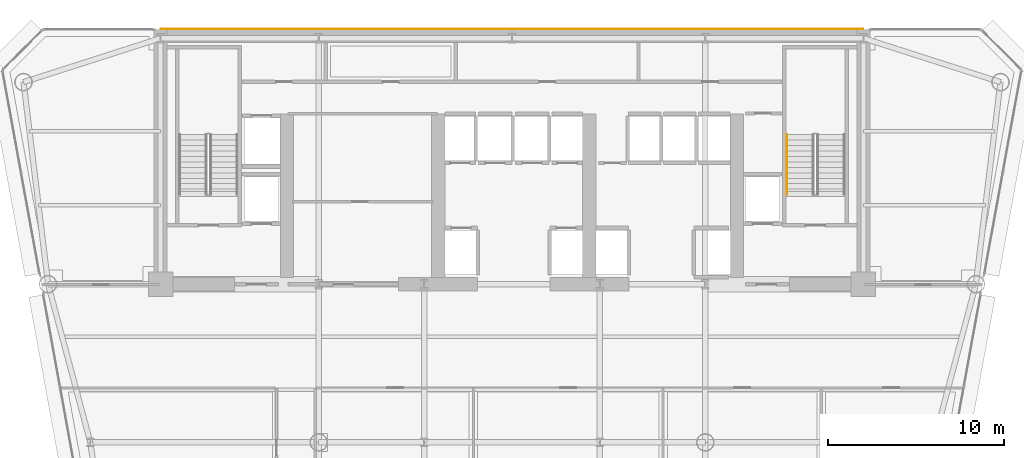
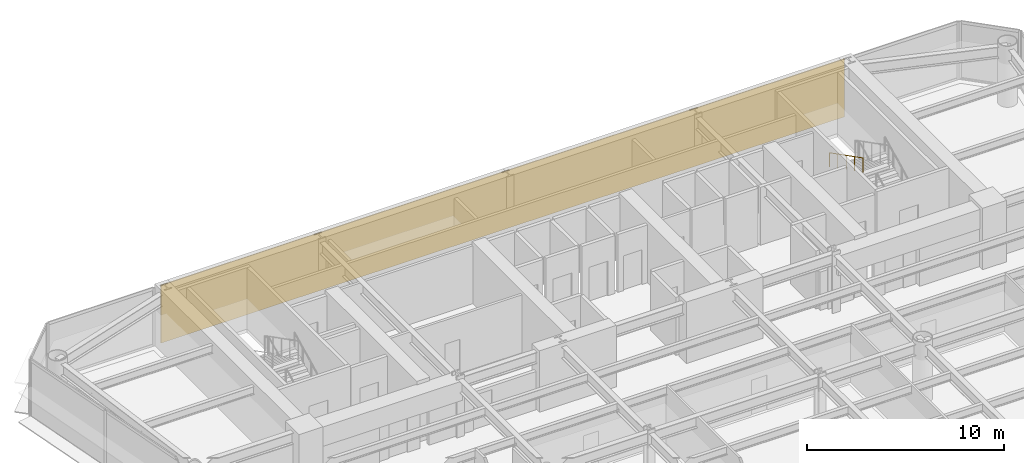
# One storey, part 13 of 14: 1 covering, 1 railing.
"""IFC4 building model written with IfcOpenShell, lengths in metres."""

from ifc_helpers import new_model, si_unit, direction, frame, origin, origin_2d, place, context, subcontext, project, spatial, polyline, circle, outline, extrude, material, layer, layer_set, type_object, element, save


model = new_model("IFC4")

# Units and contexts
model_context = context("Model", 3, precision=1e-05, world=origin(), true_north=direction((0.0, 1.0)))
body_context = subcontext(model_context, "Body", "Model", "MODEL_VIEW")
ifc_project = project(units=[si_unit("LENGTHUNIT", "METRE"), si_unit("AREAUNIT", "SQUARE_METRE"), si_unit("VOLUMEUNIT", "CUBIC_METRE"), si_unit("PLANEANGLEUNIT", "RADIAN"), si_unit("MASSUNIT", "GRAM", prefix="KILO")], contexts=[model_context])

# Site, building, storey
site_placement = place(None, origin())
site = spatial("IfcSite", under=ifc_project, at=site_placement, CompositionType="ELEMENT")
building_placement = place(site_placement, origin())
building = spatial("IfcBuilding", under=site, at=building_placement, Name="Vaeldorn Concourse Tower", CompositionType="ELEMENT")
storey_placement = place(building_placement, frame((0.0, 0.0, 114.800048828125)))
storey = spatial("IfcBuildingStorey", under=building, at=storey_placement, Name="L29", CompositionType="ELEMENT", Elevation=114.800048828125)

# Covering
ifc_material = material(Name="Anodised Bronze Aluminium", Category="aluminium")
ifc_layer = layer(ifc_material, 0.050048828125)
ifc_layer_set = layer_set([ifc_layer], Name="Anodised Bronze Aluminium")
covering_type = type_object("IfcCoveringType", Name="COV-CLAD-BRONZE", PredefinedType="CLADDING", material=ifc_layer_set)
covering_placement = place(storey_placement, origin())
element("IfcCovering", 1, at=covering_placement, inside=storey, type_object=covering_type, Name="Rear Core Bronze Spandrel Cladding L29", PredefinedType="CLADDING", context=body_context, shape_type="SweptSolid", body=[
    extrude(outline(polyline([(14.0, 51.0), (54.0, 51.0), (54.0, 51.050048828125), (14.0, 51.050048828125), (14.0, 51.0)])), origin(), (0.0, 0.0, 1.0), 3.579833984375),
])

# Railing
railing_type = type_object("IfcRailingType", Name="RL-STAIR-HANDRAIL", PredefinedType="HANDRAIL", material=ifc_material)
railing_placement = place(storey_placement, frame((49.64990234375, 45.010009765625, 2.058349609375)))
element("IfcRailing", 2, at=railing_placement, inside=storey, type_object=railing_type, Name="L29 ST-2 stair handrail 2", PredefinedType="HANDRAIL", context=body_context, shape_type="SweptSolid", body=[
    extrude(circle(Radius=0.02392578125, at=origin_2d()), frame((0.0, 0.0, 0.8759765625), z_axis=(0.0, -0.890555807335, 0.454873997962), x_axis=(1.0, 0.0, 0.0)), (0.0, 0.0, 1.0), 3.828857421875),
    extrude(circle(Radius=0.02099609375, at=origin_2d()), origin(), (0.0, 0.0, 1.0), 0.851806640625),
    extrude(circle(Radius=0.02099609375, at=origin_2d()), frame((0.0, -0.8525390625, 0.435546875)), (0.0, 0.0, 1.0), 0.851806640625),
    extrude(circle(Radius=0.02099609375, at=origin_2d()), frame((0.0, -1.705078125, 0.870849609375)), (0.0, 0.0, 1.0), 0.851806640625),
    extrude(circle(Radius=0.02099609375, at=origin_2d()), frame((0.0, -2.557373046875, 1.30615234375)), (0.0, 0.0, 1.0), 0.851806640625),
    extrude(circle(Radius=0.02099609375, at=origin_2d()), frame((0.0, -3.409912109375, 1.74169921875)), (0.0, 0.0, 1.0), 0.851806640625),
])

save(model, "model.ifc")
